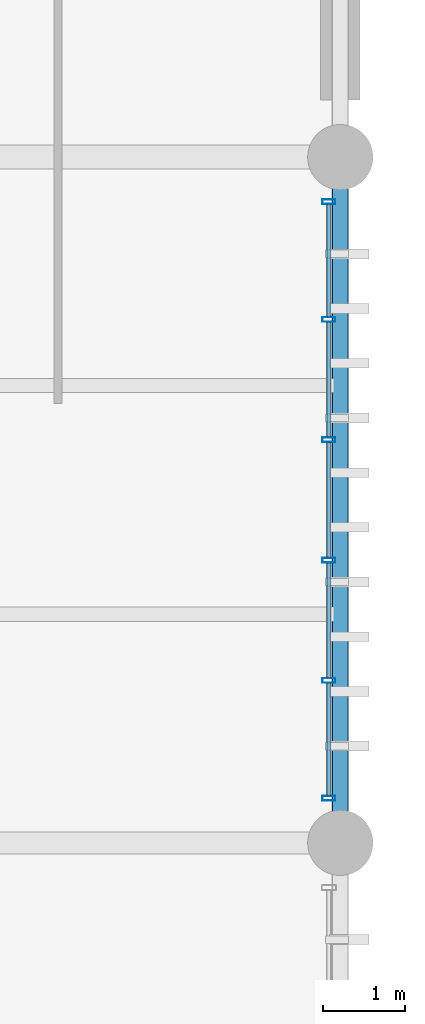
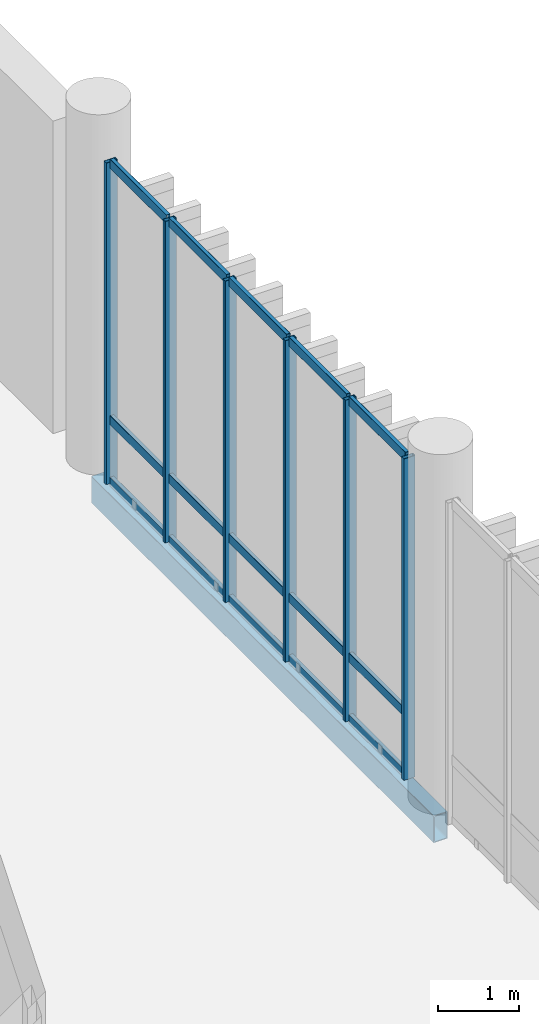
# One storey, part 68 of 112: 21 members, 1 beam, 1 element without a shape of its own.
"""IFC4 building model written with IfcOpenShell, lengths in metres."""

from ifc_helpers import new_model, si_unit, direction, frame, origin_with_axes, origin_2d_with_axis, place, context, subcontext, project, spatial, hollow_rectangle, extrude, material, material_profile, profile_set, type_object, element, aggregate, save


model = new_model("IFC4")

# Units and contexts
model_context = context("Model", 3, precision=1e-05, world=origin_with_axes(), true_north=direction((0.0, 1.0)))
body_context = subcontext(model_context, "Body", "Model", "MODEL_VIEW")
ifc_project = project(units=[si_unit("LENGTHUNIT", "METRE"), si_unit("AREAUNIT", "SQUARE_METRE"), si_unit("VOLUMEUNIT", "CUBIC_METRE"), si_unit("PLANEANGLEUNIT", "RADIAN"), si_unit("MASSUNIT", "GRAM", prefix="KILO"), si_unit("THERMODYNAMICTEMPERATUREUNIT", "KELVIN")], contexts=[model_context])

# Site, building, storey
site_placement = place(None, origin_with_axes())
site = spatial("IfcSite", under=ifc_project, at=site_placement, CompositionType="ELEMENT")
building_placement = place(site_placement, origin_with_axes())
building = spatial("IfcBuilding", under=site, at=building_placement, Name="Montbau Bow Law Courts", CompositionType="ELEMENT")
storey_placement = place(building_placement, origin_with_axes())
storey = spatial("IfcBuildingStorey", under=building, at=storey_placement, Name="L00", CompositionType="ELEMENT", Elevation=0.0)

# Beam
ifc_material_1 = material(Name="Steel CSA G40.21 Grade 350WT (350 MPa)", Category="steel")
ifc_material_profile_1 = material_profile(ifc_material_1, hollow_rectangle(XDim=0.203, YDim=0.406, WallThickness=0.0127, InnerFilletRadius=0.0254, OuterFilletRadius=0.0127, at=origin_2d_with_axis()), Name="HSS406X203X13", Category="Main", Priority=0)
ifc_profile_set_1 = profile_set([ifc_material_profile_1], Name="Steel CSA G40.21 Grade 350WT (350 MPa)")
beam_type = type_object("IfcBeamType", Name="B-SPN-01", PredefinedType="SPANDREL", material=ifc_profile_set_1)
beam_placement = place(None, frame((169.4, 86.4, -0.463), z_axis=(0.0, 1.0, 0.0), x_axis=(-1.0, 0.0, 0.0)))
element("IfcBeam", 1, at=beam_placement, inside=storey, type_object=beam_type, Name="SPN-L00-S0462:bm2_0465", PredefinedType="SPANDREL", context=body_context, shape_type="SweptSolid", body=[
    extrude(hollow_rectangle(XDim=0.203, YDim=0.406, WallThickness=0.0127, InnerFilletRadius=0.0254, OuterFilletRadius=0.0127, at=origin_2d_with_axis()), origin_with_axes(), (0.0, 0.0, 1.0), 8.4),
])

# Curtain wall, members
ifc_material_2 = material(Name="Thermally Broken Extruded Aluminium AA 6063-T6", Category="aluminium")
curtain_wall_type = type_object("IfcCurtainWallType", Name="CW-SLT-01", PredefinedType="NOTDEFINED", material=ifc_material_2)
curtain_wall_placement = place(None, frame((169.26, 86.915, 0.0), z_axis=(0.0, 0.0, 1.0), x_axis=(1.0, 0.0, 0.0)))
curtain_wall = element("IfcCurtainWall", 2, at=curtain_wall_placement, inside=storey, type_object=curtain_wall_type, Name="CW-L00-275:cw_0275", PredefinedType="NOTDEFINED")
ifc_material_profile_2 = material_profile(ifc_material_2, hollow_rectangle(XDim=0.06, YDim=0.16, WallThickness=0.004, InnerFilletRadius=0.008, OuterFilletRadius=0.004, at=origin_2d_with_axis()), Name="CWM-160X60", Category="Main", Priority=0)
ifc_profile_set_2 = profile_set([ifc_material_profile_2], Name="Thermally Broken Extruded Aluminium AA 6063-T6")
member_type_1 = type_object("IfcMemberType", Name="M-MUL-03", PredefinedType="MULLION", material=ifc_profile_set_2)
member_1_placement = place(None, frame((169.26, 86.945, 0.0), z_axis=(0.0, 0.0, 1.0), x_axis=(0.0, 1.0, 0.0)))
member_1 = element("IfcMember", 3, at=member_1_placement, type_object=member_type_1, Name="CW-L00-275-M01:cw_0275_M01", PredefinedType="MULLION", context=body_context, shape_type="SweptSolid", body=[
    extrude(hollow_rectangle(XDim=0.06, YDim=0.16, WallThickness=0.004, InnerFilletRadius=0.008, OuterFilletRadius=0.004, at=origin_2d_with_axis()), origin_with_axes(), (0.0, 0.0, 1.0), 4.82),
])
member_2_placement = place(None, frame((169.26, 88.389, 0.0), z_axis=(0.0, 0.0, 1.0), x_axis=(0.0, 1.0, 0.0)))
member_2 = element("IfcMember", 4, at=member_2_placement, type_object=member_type_1, Name="CW-L00-275-M02:cw_0275_M02", PredefinedType="MULLION", context=body_context, shape_type="SweptSolid", body=[
    extrude(hollow_rectangle(XDim=0.06, YDim=0.16, WallThickness=0.004, InnerFilletRadius=0.008, OuterFilletRadius=0.004, at=origin_2d_with_axis()), origin_with_axes(), (0.0, 0.0, 1.0), 4.82),
])
member_3_placement = place(None, frame((169.26, 89.863, 0.0), z_axis=(0.0, 0.0, 1.0), x_axis=(0.0, 1.0, 0.0)))
member_3 = element("IfcMember", 5, at=member_3_placement, type_object=member_type_1, Name="CW-L00-275-M03:cw_0275_M03", PredefinedType="MULLION", context=body_context, shape_type="SweptSolid", body=[
    extrude(hollow_rectangle(XDim=0.06, YDim=0.16, WallThickness=0.004, InnerFilletRadius=0.008, OuterFilletRadius=0.004, at=origin_2d_with_axis()), origin_with_axes(), (0.0, 0.0, 1.0), 4.82),
])
member_4_placement = place(None, frame((169.26, 91.337, 0.0), z_axis=(0.0, 0.0, 1.0), x_axis=(0.0, 1.0, 0.0)))
member_4 = element("IfcMember", 6, at=member_4_placement, type_object=member_type_1, Name="CW-L00-275-M04:cw_0275_M04", PredefinedType="MULLION", context=body_context, shape_type="SweptSolid", body=[
    extrude(hollow_rectangle(XDim=0.06, YDim=0.16, WallThickness=0.004, InnerFilletRadius=0.008, OuterFilletRadius=0.004, at=origin_2d_with_axis()), origin_with_axes(), (0.0, 0.0, 1.0), 4.82),
])
member_5_placement = place(None, frame((169.26, 92.811, 0.0), z_axis=(0.0, 0.0, 1.0), x_axis=(0.0, 1.0, 0.0)))
member_5 = element("IfcMember", 7, at=member_5_placement, type_object=member_type_1, Name="CW-L00-275-M05:cw_0275_M05", PredefinedType="MULLION", context=body_context, shape_type="SweptSolid", body=[
    extrude(hollow_rectangle(XDim=0.06, YDim=0.16, WallThickness=0.004, InnerFilletRadius=0.008, OuterFilletRadius=0.004, at=origin_2d_with_axis()), origin_with_axes(), (0.0, 0.0, 1.0), 4.82),
])
member_6_placement = place(None, frame((169.26, 94.255, 0.0), z_axis=(0.0, 0.0, 1.0), x_axis=(0.0, 1.0, 0.0)))
member_6 = element("IfcMember", 8, at=member_6_placement, type_object=member_type_1, Name="CW-L00-275-M06:cw_0275_M06", PredefinedType="MULLION", context=body_context, shape_type="SweptSolid", body=[
    extrude(hollow_rectangle(XDim=0.06, YDim=0.16, WallThickness=0.004, InnerFilletRadius=0.008, OuterFilletRadius=0.004, at=origin_2d_with_axis()), origin_with_axes(), (0.0, 0.0, 1.0), 4.82),
])
ifc_material_profile_3 = material_profile(ifc_material_2, hollow_rectangle(XDim=0.055, YDim=0.14, WallThickness=0.004, InnerFilletRadius=0.008, OuterFilletRadius=0.004, at=origin_2d_with_axis()), Name="CWT-140X55", Category="Main", Priority=0)
ifc_profile_set_3 = profile_set([ifc_material_profile_3], Name="Thermally Broken Extruded Aluminium AA 6063-T6")
member_type_2 = type_object("IfcMemberType", Name="M-TRN-02", PredefinedType="USERDEFINED", material=ifc_profile_set_3)
member_7_placement = place(None, frame((169.26, 86.977, 0.028), z_axis=(0.0, 1.0, 0.0), x_axis=(-1.0, 0.0, 0.0)))
member_7 = element("IfcMember", 9, at=member_7_placement, type_object=member_type_2, Name="CW-L00-275-T01-1:cw_0275_T01_1", ObjectType="TRANSOM", PredefinedType="USERDEFINED", context=body_context, shape_type="SweptSolid", body=[
    extrude(hollow_rectangle(XDim=0.055, YDim=0.14, WallThickness=0.004, InnerFilletRadius=0.008, OuterFilletRadius=0.004, at=origin_2d_with_axis()), origin_with_axes(), (0.0, 0.0, 1.0), 1.38),
])
member_8_placement = place(None, frame((169.26, 86.977, 0.95), z_axis=(0.0, 1.0, 0.0), x_axis=(-1.0, 0.0, 0.0)))
member_8 = element("IfcMember", 10, at=member_8_placement, type_object=member_type_2, Name="CW-L00-275-T01-2:cw_0275_T01_2", ObjectType="TRANSOM", PredefinedType="USERDEFINED", context=body_context, shape_type="SweptSolid", body=[
    extrude(hollow_rectangle(XDim=0.055, YDim=0.14, WallThickness=0.004, InnerFilletRadius=0.008, OuterFilletRadius=0.004, at=origin_2d_with_axis()), origin_with_axes(), (0.0, 0.0, 1.0), 1.38),
])
member_9_placement = place(None, frame((169.26, 86.977, 4.793), z_axis=(0.0, 1.0, 0.0), x_axis=(-1.0, 0.0, 0.0)))
member_9 = element("IfcMember", 11, at=member_9_placement, type_object=member_type_2, Name="CW-L00-275-T01-3:cw_0275_T01_3", ObjectType="TRANSOM", PredefinedType="USERDEFINED", context=body_context, shape_type="SweptSolid", body=[
    extrude(hollow_rectangle(XDim=0.055, YDim=0.14, WallThickness=0.004, InnerFilletRadius=0.008, OuterFilletRadius=0.004, at=origin_2d_with_axis()), origin_with_axes(), (0.0, 0.0, 1.0), 1.38),
])
member_10_placement = place(None, frame((169.26, 88.421, 0.028), z_axis=(0.0, 1.0, 0.0), x_axis=(-1.0, 0.0, 0.0)))
member_10 = element("IfcMember", 12, at=member_10_placement, type_object=member_type_2, Name="CW-L00-275-T02-1:cw_0275_T02_1", ObjectType="TRANSOM", PredefinedType="USERDEFINED", context=body_context, shape_type="SweptSolid", body=[
    extrude(hollow_rectangle(XDim=0.055, YDim=0.14, WallThickness=0.004, InnerFilletRadius=0.008, OuterFilletRadius=0.004, at=origin_2d_with_axis()), origin_with_axes(), (0.0, 0.0, 1.0), 1.41),
])
member_11_placement = place(None, frame((169.26, 88.421, 0.95), z_axis=(0.0, 1.0, 0.0), x_axis=(-1.0, 0.0, 0.0)))
member_11 = element("IfcMember", 13, at=member_11_placement, type_object=member_type_2, Name="CW-L00-275-T02-2:cw_0275_T02_2", ObjectType="TRANSOM", PredefinedType="USERDEFINED", context=body_context, shape_type="SweptSolid", body=[
    extrude(hollow_rectangle(XDim=0.055, YDim=0.14, WallThickness=0.004, InnerFilletRadius=0.008, OuterFilletRadius=0.004, at=origin_2d_with_axis()), origin_with_axes(), (0.0, 0.0, 1.0), 1.41),
])
member_12_placement = place(None, frame((169.26, 88.421, 4.793), z_axis=(0.0, 1.0, 0.0), x_axis=(-1.0, 0.0, 0.0)))
member_12 = element("IfcMember", 14, at=member_12_placement, type_object=member_type_2, Name="CW-L00-275-T02-3:cw_0275_T02_3", ObjectType="TRANSOM", PredefinedType="USERDEFINED", context=body_context, shape_type="SweptSolid", body=[
    extrude(hollow_rectangle(XDim=0.055, YDim=0.14, WallThickness=0.004, InnerFilletRadius=0.008, OuterFilletRadius=0.004, at=origin_2d_with_axis()), origin_with_axes(), (0.0, 0.0, 1.0), 1.41),
])
member_13_placement = place(None, frame((169.26, 89.895, 0.028), z_axis=(0.0, 1.0, 0.0), x_axis=(-1.0, 0.0, 0.0)))
member_13 = element("IfcMember", 15, at=member_13_placement, type_object=member_type_2, Name="CW-L00-275-T03-1:cw_0275_T03_1", ObjectType="TRANSOM", PredefinedType="USERDEFINED", context=body_context, shape_type="SweptSolid", body=[
    extrude(hollow_rectangle(XDim=0.055, YDim=0.14, WallThickness=0.004, InnerFilletRadius=0.008, OuterFilletRadius=0.004, at=origin_2d_with_axis()), origin_with_axes(), (0.0, 0.0, 1.0), 1.41),
])
member_14_placement = place(None, frame((169.26, 89.895, 0.95), z_axis=(0.0, 1.0, 0.0), x_axis=(-1.0, 0.0, 0.0)))
member_14 = element("IfcMember", 16, at=member_14_placement, type_object=member_type_2, Name="CW-L00-275-T03-2:cw_0275_T03_2", ObjectType="TRANSOM", PredefinedType="USERDEFINED", context=body_context, shape_type="SweptSolid", body=[
    extrude(hollow_rectangle(XDim=0.055, YDim=0.14, WallThickness=0.004, InnerFilletRadius=0.008, OuterFilletRadius=0.004, at=origin_2d_with_axis()), origin_with_axes(), (0.0, 0.0, 1.0), 1.41),
])
member_15_placement = place(None, frame((169.26, 89.895, 4.793), z_axis=(0.0, 1.0, 0.0), x_axis=(-1.0, 0.0, 0.0)))
member_15 = element("IfcMember", 17, at=member_15_placement, type_object=member_type_2, Name="CW-L00-275-T03-3:cw_0275_T03_3", ObjectType="TRANSOM", PredefinedType="USERDEFINED", context=body_context, shape_type="SweptSolid", body=[
    extrude(hollow_rectangle(XDim=0.055, YDim=0.14, WallThickness=0.004, InnerFilletRadius=0.008, OuterFilletRadius=0.004, at=origin_2d_with_axis()), origin_with_axes(), (0.0, 0.0, 1.0), 1.41),
])
member_16_placement = place(None, frame((169.26, 91.369, 0.028), z_axis=(0.0, 1.0, 0.0), x_axis=(-1.0, 0.0, 0.0)))
member_16 = element("IfcMember", 18, at=member_16_placement, type_object=member_type_2, Name="CW-L00-275-T04-1:cw_0275_T04_1", ObjectType="TRANSOM", PredefinedType="USERDEFINED", context=body_context, shape_type="SweptSolid", body=[
    extrude(hollow_rectangle(XDim=0.055, YDim=0.14, WallThickness=0.004, InnerFilletRadius=0.008, OuterFilletRadius=0.004, at=origin_2d_with_axis()), origin_with_axes(), (0.0, 0.0, 1.0), 1.41),
])
member_17_placement = place(None, frame((169.26, 91.369, 0.95), z_axis=(0.0, 1.0, 0.0), x_axis=(-1.0, 0.0, 0.0)))
member_17 = element("IfcMember", 19, at=member_17_placement, type_object=member_type_2, Name="CW-L00-275-T04-2:cw_0275_T04_2", ObjectType="TRANSOM", PredefinedType="USERDEFINED", context=body_context, shape_type="SweptSolid", body=[
    extrude(hollow_rectangle(XDim=0.055, YDim=0.14, WallThickness=0.004, InnerFilletRadius=0.008, OuterFilletRadius=0.004, at=origin_2d_with_axis()), origin_with_axes(), (0.0, 0.0, 1.0), 1.41),
])
member_18_placement = place(None, frame((169.26, 91.369, 4.793), z_axis=(0.0, 1.0, 0.0), x_axis=(-1.0, 0.0, 0.0)))
member_18 = element("IfcMember", 20, at=member_18_placement, type_object=member_type_2, Name="CW-L00-275-T04-3:cw_0275_T04_3", ObjectType="TRANSOM", PredefinedType="USERDEFINED", context=body_context, shape_type="SweptSolid", body=[
    extrude(hollow_rectangle(XDim=0.055, YDim=0.14, WallThickness=0.004, InnerFilletRadius=0.008, OuterFilletRadius=0.004, at=origin_2d_with_axis()), origin_with_axes(), (0.0, 0.0, 1.0), 1.41),
])
member_19_placement = place(None, frame((169.26, 92.843, 0.028), z_axis=(0.0, 1.0, 0.0), x_axis=(-1.0, 0.0, 0.0)))
member_19 = element("IfcMember", 21, at=member_19_placement, type_object=member_type_2, Name="CW-L00-275-T05-1:cw_0275_T05_1", ObjectType="TRANSOM", PredefinedType="USERDEFINED", context=body_context, shape_type="SweptSolid", body=[
    extrude(hollow_rectangle(XDim=0.055, YDim=0.14, WallThickness=0.004, InnerFilletRadius=0.008, OuterFilletRadius=0.004, at=origin_2d_with_axis()), origin_with_axes(), (0.0, 0.0, 1.0), 1.38),
])
member_20_placement = place(None, frame((169.26, 92.843, 0.95), z_axis=(0.0, 1.0, 0.0), x_axis=(-1.0, 0.0, 0.0)))
member_20 = element("IfcMember", 22, at=member_20_placement, type_object=member_type_2, Name="CW-L00-275-T05-2:cw_0275_T05_2", ObjectType="TRANSOM", PredefinedType="USERDEFINED", context=body_context, shape_type="SweptSolid", body=[
    extrude(hollow_rectangle(XDim=0.055, YDim=0.14, WallThickness=0.004, InnerFilletRadius=0.008, OuterFilletRadius=0.004, at=origin_2d_with_axis()), origin_with_axes(), (0.0, 0.0, 1.0), 1.38),
])
member_21_placement = place(None, frame((169.26, 92.843, 4.793), z_axis=(0.0, 1.0, 0.0), x_axis=(-1.0, 0.0, 0.0)))
member_21 = element("IfcMember", 23, at=member_21_placement, type_object=member_type_2, Name="CW-L00-275-T05-3:cw_0275_T05_3", ObjectType="TRANSOM", PredefinedType="USERDEFINED", context=body_context, shape_type="SweptSolid", body=[
    extrude(hollow_rectangle(XDim=0.055, YDim=0.14, WallThickness=0.004, InnerFilletRadius=0.008, OuterFilletRadius=0.004, at=origin_2d_with_axis()), origin_with_axes(), (0.0, 0.0, 1.0), 1.38),
])
aggregate(curtain_wall, [member_1, member_2, member_3, member_4, member_5, member_6, member_7, member_8, member_9, member_10, member_11, member_12, member_13, member_14, member_15, member_16, member_17, member_18, member_19, member_20, member_21])

save(model, "model.ifc")
